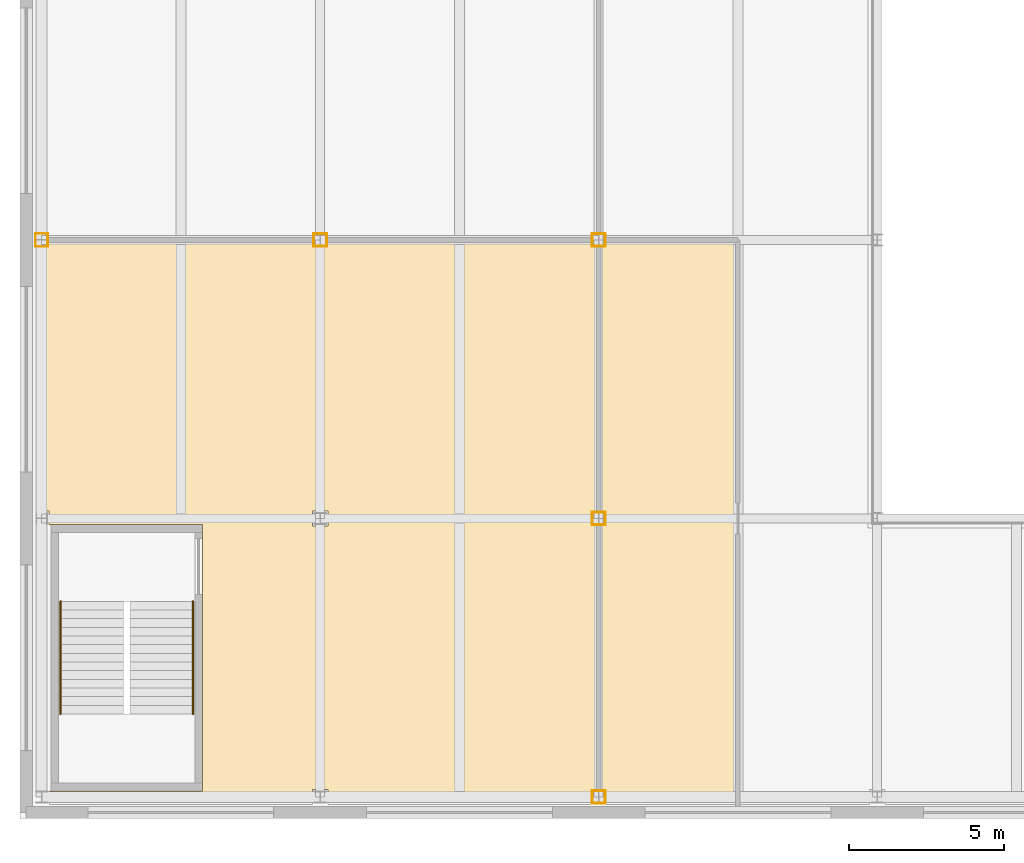
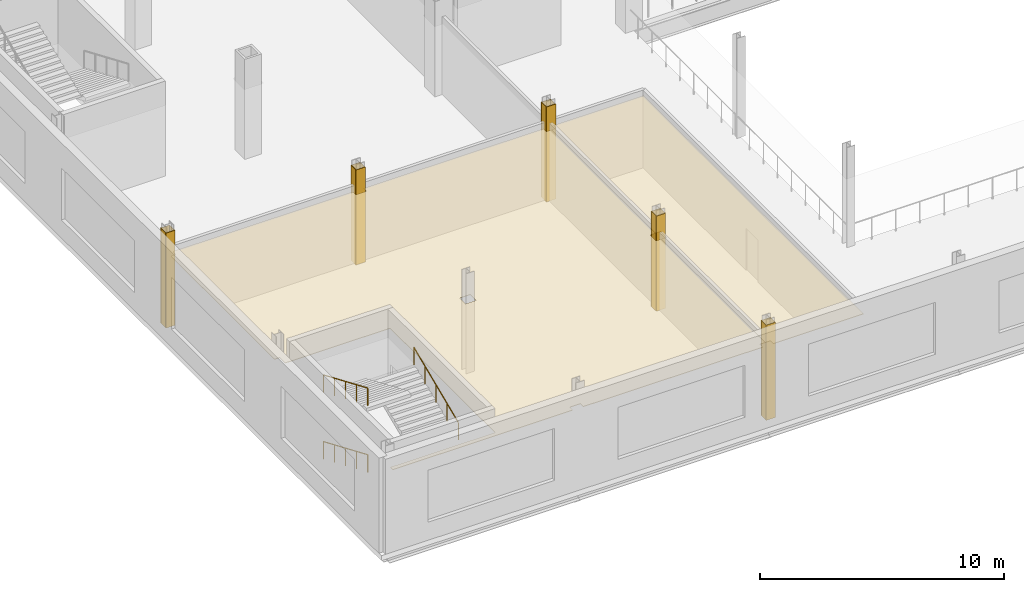
# One storey, part 19 of 31: 22 coverings, 3 railings.
"""IFC4 building model written with IfcOpenShell, lengths in metres."""

from ifc_helpers import new_model, si_unit, direction, frame, origin, origin_2d, place, context, subcontext, project, spatial, polyline, rectangle, circle, outline, extrude, material, layer, layer_set, type_object, element, save


model = new_model("IFC4")

# Units and contexts
model_context = context("Model", 3, precision=1e-05, world=origin(), true_north=direction((0.0, 1.0)))
body_context = subcontext(model_context, "Body", "Model", "MODEL_VIEW")
ifc_project = project(units=[si_unit("LENGTHUNIT", "METRE"), si_unit("AREAUNIT", "SQUARE_METRE"), si_unit("VOLUMEUNIT", "CUBIC_METRE"), si_unit("PLANEANGLEUNIT", "RADIAN"), si_unit("MASSUNIT", "GRAM", prefix="KILO")], contexts=[model_context])

# Site, building, storey
site_placement = place(None, origin())
site = spatial("IfcSite", under=ifc_project, at=site_placement, CompositionType="ELEMENT")
building_placement = place(site_placement, origin())
building = spatial("IfcBuilding", under=site, at=building_placement, Name="Loomwork Tower", CompositionType="ELEMENT")
storey_placement = place(building_placement, frame((0.0, 0.0, 11.0)))
storey = spatial("IfcBuildingStorey", under=building, at=storey_placement, Name="L02", CompositionType="ELEMENT", Elevation=11.0)

# Coverings
ifc_material_1 = material(Name="Two-hour fire-rated gypsum board casing")
ifc_layer_1 = layer(ifc_material_1, 0.02490234375)
ifc_layer_set_1 = layer_set([ifc_layer_1], Name="Column fire casing 25")
covering_type_1 = type_object("IfcCoveringType", Name="Column fire casing 25", PredefinedType="CLADDING", material=ifc_layer_set_1)
for number, where, z_axis, x_axis, name in (
    (1, (-9.0, -8.790771484375, 0.0), (0.0, 0.0, 1.0), (1.0, 0.0, 0.0), "Column casing -9 -9 L02"),
    (2, (-9.0, -9.209228515625, 0.0), (0.0, 0.0, 1.0), (1.0, 0.0, 0.0), "Column casing -9 -9 L02"),
):
    element("IfcCovering", number, at=place(storey_placement, frame(where, z_axis=z_axis, x_axis=x_axis)), inside=storey, type_object=covering_type_1, Name=name, PredefinedType="CLADDING", context=body_context, shape_type="SweptSolid", body=[
        extrude(rectangle(XDim=0.42578125, YDim=0.02490234375, at=origin_2d()), origin(), (0.0, 0.0, 1.0), 4.75),
    ])
for number, where, z_axis, x_axis, name in (
    (3, (-8.799560546875, -9.0, 0.0), (0.0, 0.0, 1.0), (1.0, 0.0, 0.0), "Column casing -9 -9 L02"),
    (4, (-9.200439453125, -9.0, 0.0), (0.0, 0.0, 1.0), (1.0, 0.0, 0.0), "Column casing -9 -9 L02"),
):
    element("IfcCovering", number, at=place(storey_placement, frame(where, z_axis=z_axis, x_axis=x_axis)), inside=storey, type_object=covering_type_1, Name=name, PredefinedType="CLADDING", context=body_context, shape_type="SweptSolid", body=[
        extrude(rectangle(XDim=0.02490234375, YDim=0.393798828125, at=origin_2d()), origin(), (0.0, 0.0, 1.0), 4.75),
    ])
for number, where, z_axis, x_axis, name in (
    (5, (0.0, -8.799560546875, 0.0), (0.0, 0.0, 1.0), (1.0, 0.0, 0.0), "Column casing 0 -9 L02"),
    (6, (0.0, -9.200439453125, 0.0), (0.0, 0.0, 1.0), (1.0, 0.0, 0.0), "Column casing 0 -9 L02"),
):
    element("IfcCovering", number, at=place(storey_placement, frame(where, z_axis=z_axis, x_axis=x_axis)), inside=storey, type_object=covering_type_1, Name=name, PredefinedType="CLADDING", context=body_context, shape_type="SweptSolid", body=[
        extrude(rectangle(XDim=0.443603515625, YDim=0.02490234375, at=origin_2d()), origin(), (0.0, 0.0, 1.0), 4.75),
    ])
for number, where, z_axis, x_axis, name in (
    (7, (0.20947265625, -9.0, 0.0), (0.0, 0.0, 1.0), (1.0, 0.0, 0.0), "Column casing 0 -9 L02"),
    (8, (-0.20947265625, -9.0, 0.0), (0.0, 0.0, 1.0), (1.0, 0.0, 0.0), "Column casing 0 -9 L02"),
):
    element("IfcCovering", number, at=place(storey_placement, frame(where, z_axis=z_axis, x_axis=x_axis)), inside=storey, type_object=covering_type_1, Name=name, PredefinedType="CLADDING", context=body_context, shape_type="SweptSolid", body=[
        extrude(rectangle(XDim=0.02490234375, YDim=0.3759765625, at=origin_2d()), origin(), (0.0, 0.0, 1.0), 4.75),
    ])
for number, where, z_axis, x_axis, name in (
    (9, (9.0, -26.799560546875, 0.0), (0.0, 0.0, 1.0), (1.0, 0.0, 0.0), "Column casing 9 -27 L02"),
    (10, (9.0, -27.200439453125, 0.0), (0.0, 0.0, 1.0), (1.0, 0.0, 0.0), "Column casing 9 -27 L02"),
):
    element("IfcCovering", number, at=place(storey_placement, frame(where, z_axis=z_axis, x_axis=x_axis)), inside=storey, type_object=covering_type_1, Name=name, PredefinedType="CLADDING", context=body_context, shape_type="SweptSolid", body=[
        extrude(rectangle(XDim=0.443603515625, YDim=0.02490234375, at=origin_2d()), origin(), (0.0, 0.0, 1.0), 4.75),
    ])
for number, where, z_axis, x_axis, name in (
    (11, (9.209228515625, -27.0, 0.0), (0.0, 0.0, 1.0), (1.0, 0.0, 0.0), "Column casing 9 -27 L02"),
    (12, (8.790771484375, -27.0, 0.0), (0.0, 0.0, 1.0), (1.0, 0.0, 0.0), "Column casing 9 -27 L02"),
):
    element("IfcCovering", number, at=place(storey_placement, frame(where, z_axis=z_axis, x_axis=x_axis)), inside=storey, type_object=covering_type_1, Name=name, PredefinedType="CLADDING", context=body_context, shape_type="SweptSolid", body=[
        extrude(rectangle(XDim=0.02490234375, YDim=0.3759765625, at=origin_2d()), origin(), (0.0, 0.0, 1.0), 4.75),
    ])
for number, where, z_axis, x_axis, name in (
    (13, (9.0, -17.799560546875, 0.0), (0.0, 0.0, 1.0), (1.0, 0.0, 0.0), "Column casing 9 -18 L02"),
    (14, (9.0, -18.200439453125, 0.0), (0.0, 0.0, 1.0), (1.0, 0.0, 0.0), "Column casing 9 -18 L02"),
):
    element("IfcCovering", number, at=place(storey_placement, frame(where, z_axis=z_axis, x_axis=x_axis)), inside=storey, type_object=covering_type_1, Name=name, PredefinedType="CLADDING", context=body_context, shape_type="SweptSolid", body=[
        extrude(rectangle(XDim=0.443603515625, YDim=0.02490234375, at=origin_2d()), origin(), (0.0, 0.0, 1.0), 4.75),
    ])
for number, where, z_axis, x_axis, name in (
    (15, (9.209228515625, -18.0, 0.0), (0.0, 0.0, 1.0), (1.0, 0.0, 0.0), "Column casing 9 -18 L02"),
    (16, (8.790771484375, -18.0, 0.0), (0.0, 0.0, 1.0), (1.0, 0.0, 0.0), "Column casing 9 -18 L02"),
):
    element("IfcCovering", number, at=place(storey_placement, frame(where, z_axis=z_axis, x_axis=x_axis)), inside=storey, type_object=covering_type_1, Name=name, PredefinedType="CLADDING", context=body_context, shape_type="SweptSolid", body=[
        extrude(rectangle(XDim=0.02490234375, YDim=0.3759765625, at=origin_2d()), origin(), (0.0, 0.0, 1.0), 4.75),
    ])
for number, where, z_axis, x_axis, name in (
    (17, (9.0, -8.799560546875, 0.0), (0.0, 0.0, 1.0), (1.0, 0.0, 0.0), "Column casing 9 -9 L02"),
    (18, (9.0, -9.200439453125, 0.0), (0.0, 0.0, 1.0), (1.0, 0.0, 0.0), "Column casing 9 -9 L02"),
):
    element("IfcCovering", number, at=place(storey_placement, frame(where, z_axis=z_axis, x_axis=x_axis)), inside=storey, type_object=covering_type_1, Name=name, PredefinedType="CLADDING", context=body_context, shape_type="SweptSolid", body=[
        extrude(rectangle(XDim=0.443603515625, YDim=0.02490234375, at=origin_2d()), origin(), (0.0, 0.0, 1.0), 4.75),
    ])
for number, where, z_axis, x_axis, name in (
    (19, (9.209228515625, -9.0, 0.0), (0.0, 0.0, 1.0), (1.0, 0.0, 0.0), "Column casing 9 -9 L02"),
    (20, (8.790771484375, -9.0, 0.0), (0.0, 0.0, 1.0), (1.0, 0.0, 0.0), "Column casing 9 -9 L02"),
):
    element("IfcCovering", number, at=place(storey_placement, frame(where, z_axis=z_axis, x_axis=x_axis)), inside=storey, type_object=covering_type_1, Name=name, PredefinedType="CLADDING", context=body_context, shape_type="SweptSolid", body=[
        extrude(rectangle(XDim=0.02490234375, YDim=0.3759765625, at=origin_2d()), origin(), (0.0, 0.0, 1.0), 4.75),
    ])

# Railings
ifc_material_2 = material(Name="Stainless steel handrail", Category="steel")
railing_type = type_object("IfcRailingType", Name="Handrail 900", PredefinedType="HANDRAIL", material=ifc_material_2)
railing_1_placement = place(storey_placement, frame((-8.389892578125, -20.679931640625, 0.118896484375)))
element("IfcRailing", 21, at=railing_1_placement, inside=storey, type_object=railing_type, Name="Podium stair PS1 handrail flight 1 L02", PredefinedType="HANDRAIL", context=body_context, shape_type="SweptSolid", body=[
    extrude(circle(Radius=0.02392578125, at=origin_2d()), frame((0.0, 0.0, 0.8759765625), z_axis=(0.0, -0.920258693564, 0.391310537706), x_axis=(1.0, 0.0, 0.0)), (0.0, 0.0, 1.0), 3.95556640625),
    extrude(circle(Radius=0.02099609375, at=origin_2d()), origin(), (0.0, 0.0, 1.0), 0.851806640625),
    extrude(circle(Radius=0.02099609375, at=origin_2d()), frame((0.0, -0.91015625, 0.386962890625)), (0.0, 0.0, 1.0), 0.851806640625),
    extrude(circle(Radius=0.02099609375, at=origin_2d()), frame((0.0, -1.820068359375, 0.77392578125)), (0.0, 0.0, 1.0), 0.851806640625),
    extrude(circle(Radius=0.02099609375, at=origin_2d()), frame((0.0, -2.72998046875, 1.160888671875)), (0.0, 0.0, 1.0), 0.851806640625),
    extrude(circle(Radius=0.02099609375, at=origin_2d()), frame((0.0, -3.64013671875, 1.5478515625)), (0.0, 0.0, 1.0), 0.851806640625),
])
railing_2_placement = place(storey_placement, frame((-4.110107421875, -24.320068359375, 1.78564453125)))
element("IfcRailing", 22, at=railing_2_placement, inside=storey, type_object=railing_type, Name="Podium stair PS1 handrail flight 2 L02", PredefinedType="HANDRAIL", context=body_context, shape_type="SweptSolid", body=[
    extrude(circle(Radius=0.02392578125, at=origin_2d()), frame((0.0, 0.0, 0.8759765625), z_axis=(0.0, 0.920258693564, 0.391310537706), x_axis=(-1.0, 0.0, 0.0)), (0.0, 0.0, 1.0), 3.95556640625),
    extrude(circle(Radius=0.02099609375, at=origin_2d()), origin(), (0.0, 0.0, 1.0), 0.851806640625),
    extrude(circle(Radius=0.02099609375, at=origin_2d()), frame((0.0, 0.91015625, 0.386962890625)), (0.0, 0.0, 1.0), 0.851806640625),
    extrude(circle(Radius=0.02099609375, at=origin_2d()), frame((0.0, 1.820068359375, 0.77392578125)), (0.0, 0.0, 1.0), 0.851806640625),
    extrude(circle(Radius=0.02099609375, at=origin_2d()), frame((0.0, 2.72998046875, 1.160888671875)), (0.0, 0.0, 1.0), 0.851806640625),
    extrude(circle(Radius=0.02099609375, at=origin_2d()), frame((0.0, 3.64013671875, 1.5478515625)), (0.0, 0.0, 1.0), 0.851806640625),
])
railing_3_placement = place(storey_placement, frame((-8.389892578125, -20.679931640625, 3.452392578125)))
element("IfcRailing", 23, at=railing_3_placement, inside=storey, type_object=railing_type, Name="Podium stair PS1 handrail flight 3 L02", PredefinedType="HANDRAIL", context=body_context, shape_type="SweptSolid", body=[
    extrude(circle(Radius=0.02392578125, at=origin_2d()), frame((0.0, 0.0, 0.8759765625), z_axis=(0.0, -0.920280918742, 0.391258265855), x_axis=(1.0, 0.0, 0.0)), (0.0, 0.0, 1.0), 3.95556640625),
    extrude(circle(Radius=0.02099609375, at=origin_2d()), origin(), (0.0, 0.0, 1.0), 0.851806640625),
    extrude(circle(Radius=0.02099609375, at=origin_2d()), frame((0.0, -0.91015625, 0.386962890625)), (0.0, 0.0, 1.0), 0.851806640625),
    extrude(circle(Radius=0.02099609375, at=origin_2d()), frame((0.0, -1.820068359375, 0.77392578125)), (0.0, 0.0, 1.0), 0.851806640625),
    extrude(circle(Radius=0.02099609375, at=origin_2d()), frame((0.0, -2.72998046875, 1.16064453125)), (0.0, 0.0, 1.0), 0.851806640625),
    extrude(circle(Radius=0.02099609375, at=origin_2d()), frame((0.0, -3.64013671875, 1.547607421875)), (0.0, 0.0, 1.0), 0.851806640625),
])

# Coverings
ifc_material_3 = material(Name="Mineral fibre acoustic tile on suspension grid")
ifc_layer_2 = layer(ifc_material_3, 0.02490234375)
ifc_layer_set_2 = layer_set([ifc_layer_2], Name="Suspended acoustic ceiling")
covering_type_2 = type_object("IfcCoveringType", Name="Suspended acoustic ceiling", PredefinedType="CEILING", material=ifc_layer_set_2)
covering_1_placement = place(storey_placement, frame((0.0, 0.0, 3.52490234375)))
element("IfcCovering", 24, at=covering_1_placement, inside=storey, type_object=covering_type_2, Name="Ceiling Meeting room 201 L02", PredefinedType="CEILING", context=body_context, shape_type="SweptSolid", body=[
    extrude(outline(polyline([(-3.800048828125, -26.800048828125), (-3.800048828125, -18.199951171875), (-8.761962890625, -18.199951171875), (-8.761962890625, -17.753173828125), (-9.0, -17.753173828125), (-9.0, -9.246826171875), (-8.761962890625, -9.246826171875), (-8.761962890625, -9.0), (-0.246826171875, -9.0), (-0.246826171875, -9.238037109375), (0.246826171875, -9.238037109375), (0.246826171875, -9.0), (8.753173828125, -9.0), (8.753173828125, -9.238037109375), (9.0, -9.238037109375), (9.0, -17.761962890625), (8.753173828125, -17.761962890625), (8.753173828125, -18.238037109375), (9.0, -18.238037109375), (9.0, -26.761962890625), (8.753173828125, -26.761962890625), (8.753173828125, -27.0), (0.246826171875, -27.0), (0.246826171875, -26.761962890625), (-0.246826171875, -26.761962890625), (-0.246826171875, -27.0), (-8.753173828125, -27.0), (-8.753173828125, -26.800048828125), (-3.800048828125, -26.800048828125)]), holes=[polyline([(-0.246826171875, -18.238037109375), (0.246826171875, -18.238037109375), (0.246826171875, -17.761962890625), (-0.246826171875, -17.761962890625), (-0.246826171875, -18.238037109375)])]), origin(), (0.0, 0.0, 1.0), 0.025146484375),
])
covering_2_placement = place(storey_placement, frame((0.0, 0.0, 3.52490234375)))
element("IfcCovering", 25, at=covering_2_placement, inside=storey, type_object=covering_type_2, Name="Ceiling Meeting room 202 L02", PredefinedType="CEILING", context=body_context, shape_type="SweptSolid", body=[
    extrude(outline(polyline([(13.5, -9.0), (13.5, -27.0), (9.246826171875, -27.0), (9.246826171875, -26.761962890625), (9.0, -26.761962890625), (9.0, -18.238037109375), (9.246826171875, -18.238037109375), (9.246826171875, -17.761962890625), (9.0, -17.761962890625), (9.0, -9.238037109375), (9.246826171875, -9.238037109375), (9.246826171875, -9.0), (13.5, -9.0)])), origin(), (0.0, 0.0, 1.0), 0.025146484375),
])

save(model, "model.ifc")
